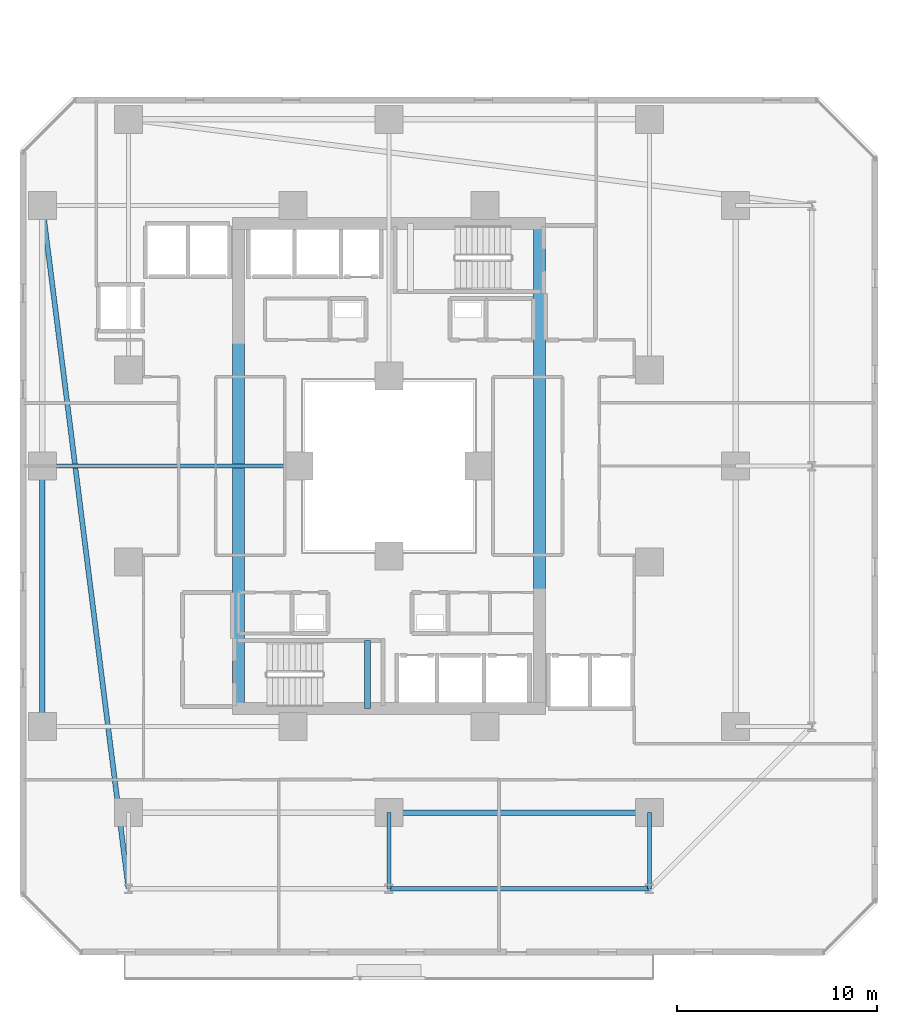
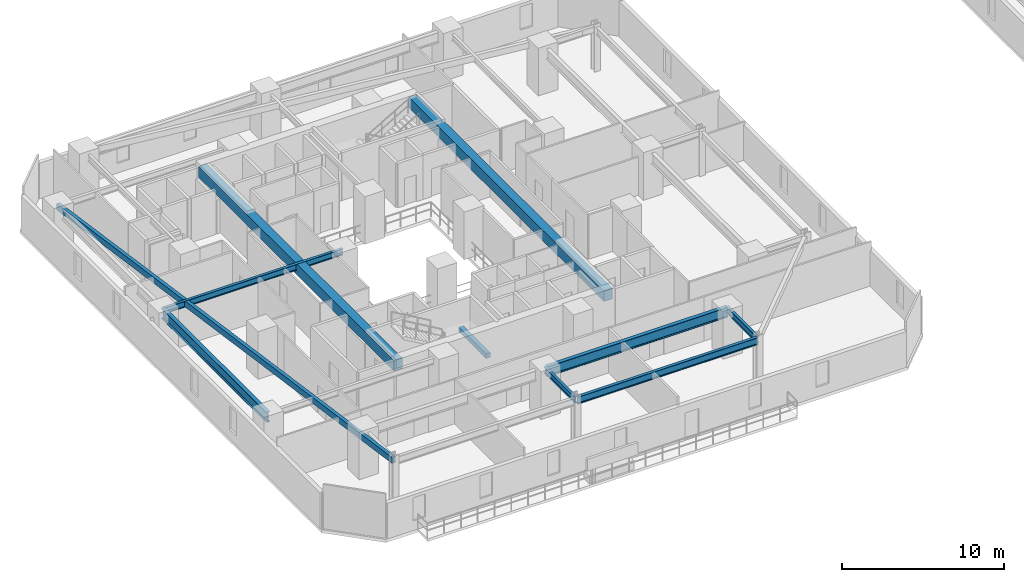
# One storey, part 4 of 35: 10 beams.
"""IFC4 building model written with IfcOpenShell, lengths in metres."""

from ifc_helpers import new_model, si_unit, direction, frame, origin, origin_2d, place, context, subcontext, project, spatial, rectangle, hollow_rectangle, i_section, extrude, material, material_profile, profile_set, type_object, element, save


model = new_model("IFC4")

# Units and contexts
model_context = context("Model", 3, precision=1e-05, world=origin(), true_north=direction((0.0, 1.0)))
body_context = subcontext(model_context, "Body", "Model", "MODEL_VIEW")
ifc_project = project(units=[si_unit("LENGTHUNIT", "METRE"), si_unit("AREAUNIT", "SQUARE_METRE"), si_unit("VOLUMEUNIT", "CUBIC_METRE"), si_unit("PLANEANGLEUNIT", "RADIAN"), si_unit("MASSUNIT", "GRAM", prefix="KILO")], contexts=[model_context])

# Site, building, storey
site_placement = place(None, origin())
site = spatial("IfcSite", under=ifc_project, at=site_placement, CompositionType="ELEMENT")
building_placement = place(site_placement, origin())
building = spatial("IfcBuilding", under=site, at=building_placement, Name="Thornwick Lancets Civic Towers", CompositionType="ELEMENT")
storey_placement = place(building_placement, frame((0.0, 0.0, 64.5)))
storey = spatial("IfcBuildingStorey", under=building, at=storey_placement, Name="L16", CompositionType="ELEMENT", Elevation=64.5)

# Beams
ifc_material_1 = material(Name="Concrete C60/75", Category="concrete")
ifc_material_profile_1 = material_profile(ifc_material_1, rectangle(XDim=0.60009765625, YDim=0.800048828125, at=origin_2d()), Name="RC 600x800")
ifc_profile_set_1 = profile_set([ifc_material_profile_1], Name="Concrete C60/75")
beam_type_1 = type_object("IfcBeamType", Name="BM_COUP_RC800", PredefinedType="BEAM", material=ifc_profile_set_1)
for number, where, z_axis, x_axis, name in (
    (1, (33.0, 14.89990234375, 2.9599609375), (0.0, 1.0, 0.0), (-1.0, 0.0, 0.0), "CB-L16-A1"),
    (2, (18.0, 14.89990234375, 2.9599609375), (0.0, 1.0, 0.0), (-1.0, 0.0, 0.0), "CB-L16-A2"),
):
    element("IfcBeam", number, at=place(storey_placement, frame(where, z_axis=z_axis, x_axis=x_axis)), inside=storey, type_object=beam_type_1, Name=name, PredefinedType="BEAM", context=body_context, shape_type="SweptSolid", body=[
        extrude(rectangle(XDim=0.60009765625, YDim=0.800048828125, at=origin_2d()), origin(), (0.0, 0.0, 1.0), 24.2001953125),
    ])
ifc_material_2 = material(Name="Steel S355JR", Category="steel")
ifc_material_profile_2 = material_profile(ifc_material_2, i_section(OverallWidth=0.2119140625, OverallDepth=0.54443359375, WebThickness=0.0126953125, FlangeThickness=0.021240234375, FilletRadius=0.0126953125, at=origin_2d()), Name="UKB 533x210x122")
ifc_profile_set_2 = profile_set([ifc_material_profile_2], Name="Steel S355JR")
beam_type_2 = type_object("IfcBeamType", Name="BM_EDGE_533_122", PredefinedType="SPANDREL", material=ifc_profile_set_2)
beam_1_placement = place(storey_placement, frame((25.580078125, 5.89990234375, 3.087646484375), z_axis=(1.0, 0.0, 0.0), x_axis=(0.0, 1.0, 0.0)))
element("IfcBeam", 3, at=beam_1_placement, inside=storey, type_object=beam_type_2, Name="BM-EDGE-L16-A-S0-2", PredefinedType="SPANDREL", context=body_context, shape_type="SweptSolid", body=[
    extrude(i_section(OverallWidth=0.2119140625, OverallDepth=0.54443359375, WebThickness=0.0126953125, FlangeThickness=0.021240234375, FilletRadius=0.0126953125, at=origin_2d()), origin(), (0.0, 0.0, 1.0), 12.919921875),
])
ifc_material_profile_3 = material_profile(ifc_material_2, i_section(OverallWidth=0.26806640625, OverallDepth=0.769775390625, WebThickness=0.015625, FlangeThickness=0.025390625, FilletRadius=0.0166015625, at=origin_2d()), Name="UKB 762x267x197")
ifc_profile_set_3 = profile_set([ifc_material_profile_3], Name="Steel S355JR")
beam_type_3 = type_object("IfcBeamType", Name="BM_GIRD_762_197", PredefinedType="BEAM", material=ifc_profile_set_3)
beam_2_placement = place(storey_placement, frame((25.580078125, 9.699951171875, 2.97509765625), z_axis=(1.0, 0.0, 0.0), x_axis=(0.0, 1.0, 0.0)))
element("IfcBeam", 4, at=beam_2_placement, inside=storey, type_object=beam_type_3, Name="BM-SPINE-L16-A-1-2", PredefinedType="BEAM", context=body_context, shape_type="SweptSolid", body=[
    extrude(i_section(OverallWidth=0.26806640625, OverallDepth=0.769775390625, WebThickness=0.015625, FlangeThickness=0.025390625, FilletRadius=0.0166015625, at=origin_2d()), origin(), (0.0, 0.0, 1.0), 12.919921875),
])
beam_3_placement = place(storey_placement, frame((8.199951171875, 14.0, 2.97509765625), z_axis=(0.0, 1.0, 0.0), x_axis=(-1.0, 0.0, 0.0)))
element("IfcBeam", 5, at=beam_3_placement, inside=storey, type_object=beam_type_3, Name="BM-SPINE-L16-A-9-10", PredefinedType="BEAM", context=body_context, shape_type="SweptSolid", body=[
    extrude(i_section(OverallWidth=0.26806640625, OverallDepth=0.769775390625, WebThickness=0.015625, FlangeThickness=0.025390625, FilletRadius=0.0166015625, at=origin_2d()), origin(), (0.0, 0.0, 1.0), 13.0),
])
ifc_material_profile_4 = material_profile(ifc_material_2, i_section(OverallWidth=0.19287109375, OverallDepth=0.46728515625, WebThickness=0.011474609375, FlangeThickness=0.01953125, FilletRadius=0.01025390625, at=origin_2d()), Name="UKB 457x191x98")
ifc_profile_set_4 = profile_set([ifc_material_profile_4], Name="Steel S355JR")
beam_type_4 = type_object("IfcBeamType", Name="BM_JOIST_457_98", PredefinedType="JOIST", material=ifc_profile_set_4)
for number, where, z_axis, x_axis, name in (
    (6, (25.5, 9.699951171875, 3.12646484375), (0.0, -1.0, 0.0), (1.0, 0.0, 0.0), "BM-RAD-L16-A02"),
    (7, (38.5, 9.699951171875, 3.12646484375), (0.0, -1.0, 0.0), (1.0, 0.0, 0.0), "BM-RAD-L16-A03"),
):
    element("IfcBeam", number, at=place(storey_placement, frame(where, z_axis=z_axis, x_axis=x_axis)), inside=storey, type_object=beam_type_4, Name=name, PredefinedType="JOIST", context=body_context, shape_type="SweptSolid", body=[
        extrude(i_section(OverallWidth=0.19287109375, OverallDepth=0.46728515625, WebThickness=0.011474609375, FlangeThickness=0.01953125, FilletRadius=0.01025390625, at=origin_2d()), origin(), (0.0, 0.0, 1.0), 3.800048828125),
    ])
beam_4_placement = place(storey_placement, frame((21.0, 27.0, 3.12646484375), z_axis=(-1.0, 0.0, 0.0), x_axis=(0.0, -1.0, 0.0)))
element("IfcBeam", 8, at=beam_4_placement, inside=storey, type_object=beam_type_4, Name="BM-RADIN-L16-A11", PredefinedType="JOIST", context=body_context, shape_type="SweptSolid", body=[
    extrude(i_section(OverallWidth=0.19287109375, OverallDepth=0.46728515625, WebThickness=0.011474609375, FlangeThickness=0.01953125, FilletRadius=0.01025390625, at=origin_2d()), origin(), (0.0, 0.0, 1.0), 12.800048828125),
])
ifc_material_profile_5 = material_profile(ifc_material_2, hollow_rectangle(XDim=0.25, YDim=0.449951171875, WallThickness=0.01611328125, at=origin_2d()), Name="RHS 450x250x16")
ifc_profile_set_5 = profile_set([ifc_material_profile_5], Name="Steel S355JR")
beam_type_5 = type_object("IfcBeamType", Name="BM_RING_RHS450", PredefinedType="BEAM", material=ifc_profile_set_5)
beam_5_placement = place(storey_placement, frame((8.199951171875, 40.0, 3.135009765625), z_axis=(0.12510998836, -0.992142878225, 0.0), x_axis=(0.992142878225, 0.12510998836, 0.0)))
element("IfcBeam", 9, at=beam_5_placement, inside=storey, type_object=beam_type_5, Name="BM-CHAMF-L16-A-C3", PredefinedType="BEAM", context=body_context, shape_type="SweptSolid", body=[
    extrude(hollow_rectangle(XDim=0.25, YDim=0.449951171875, WallThickness=0.01611328125, at=origin_2d()), origin(), (0.0, 0.0, 1.0), 34.3701171875),
])
ifc_material_3 = material(Name="Concrete C40/50", Category="concrete")
ifc_material_profile_6 = material_profile(ifc_material_3, rectangle(XDim=0.300048828125, YDim=0.35009765625, at=origin_2d()), Name="RC 300x350")
ifc_profile_set_6 = profile_set([ifc_material_profile_6], Name="Concrete C40/50")
beam_type_6 = type_object("IfcBeamType", Name="BM_STAIR_LDG", PredefinedType="BEAM", material=ifc_profile_set_6)
beam_6_placement = place(storey_placement, frame((24.43505859375, 14.89990234375, 1.3779296875), z_axis=(0.0, 1.0, 0.0), x_axis=(-1.0, 0.0, 0.0)))
element("IfcBeam", 10, at=beam_6_placement, inside=storey, type_object=beam_type_6, Name="L16 ST-A1 Landing Support Beam 1", PredefinedType="BEAM", context=body_context, shape_type="SweptSolid", body=[
    extrude(rectangle(XDim=0.300048828125, YDim=0.35009765625, at=origin_2d()), origin(), (0.0, 0.0, 1.0), 3.400146484375),
])

save(model, "model.ifc")
